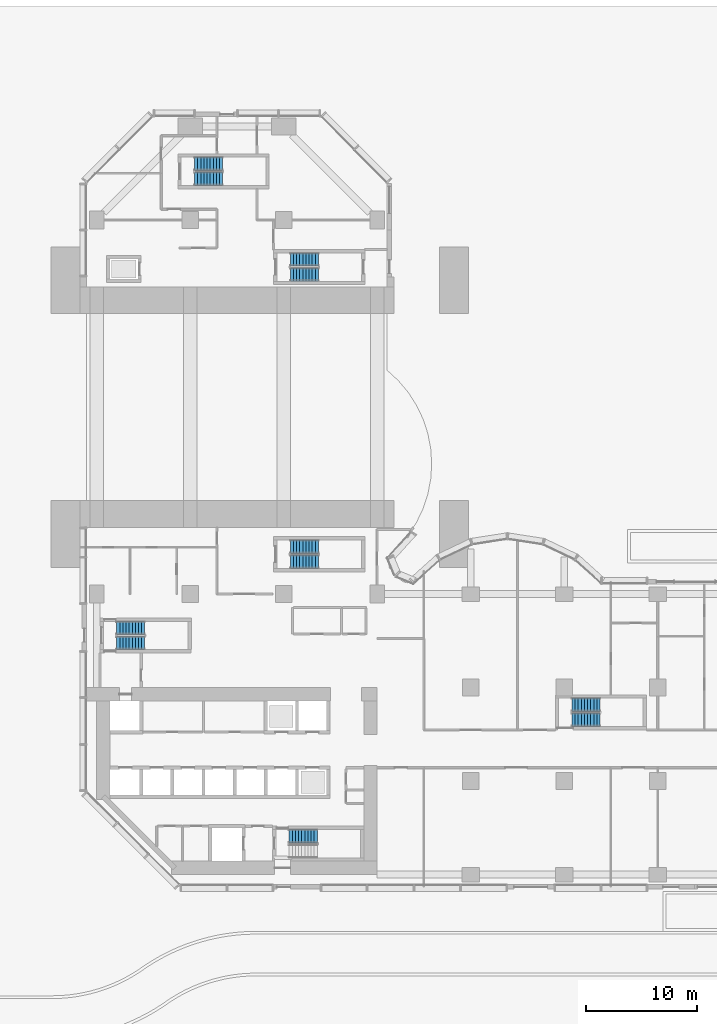
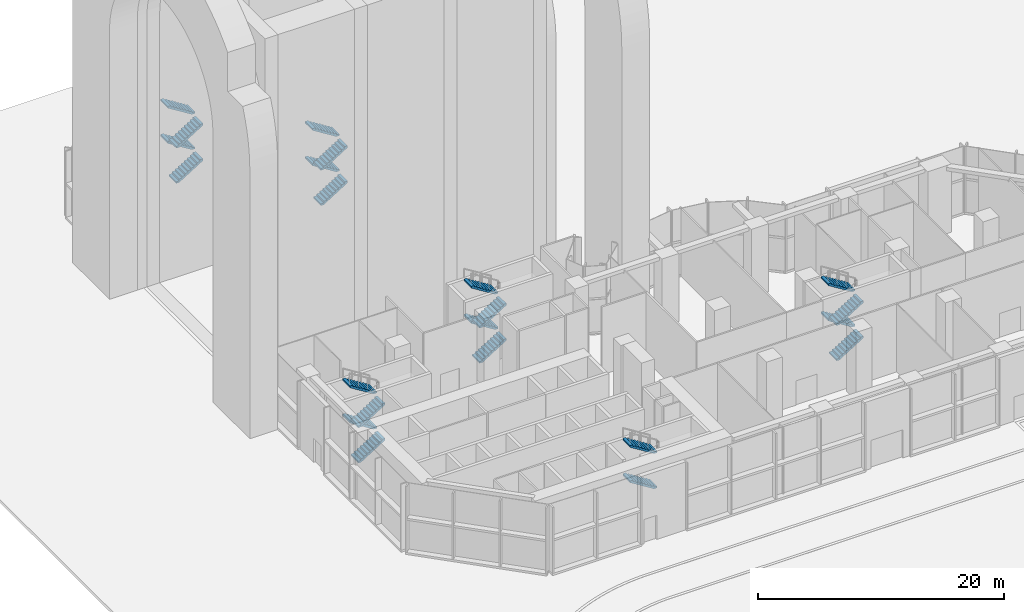
# One storey, part 14 of 21: 22 stair flights, 6 elements without a shape of their own.
"""IFC4 building model written with IfcOpenShell, lengths in metres."""

from ifc_helpers import new_model, si_unit, direction, frame, origin, place, context, subcontext, project, spatial, polyline, outline, extrude, material, type_object, element, aggregate, save


model = new_model("IFC4")

# Units and contexts
model_context = context("Model", 3, precision=1e-05, world=origin(), true_north=direction((0.0, 1.0)))
body_context = subcontext(model_context, "Body", "Model", "MODEL_VIEW")
ifc_project = project(units=[si_unit("LENGTHUNIT", "METRE"), si_unit("AREAUNIT", "SQUARE_METRE"), si_unit("VOLUMEUNIT", "CUBIC_METRE"), si_unit("PLANEANGLEUNIT", "RADIAN"), si_unit("MASSUNIT", "GRAM", prefix="KILO")], contexts=[model_context])

# Site, building, storey
site_placement = place(None, origin())
site = spatial("IfcSite", under=ifc_project, at=site_placement, CompositionType="ELEMENT")
building_placement = place(site_placement, origin())
building = spatial("IfcBuilding", under=site, at=building_placement, Name="Brevane Broadcast Tower", CompositionType="ELEMENT")
storey_placement = place(building_placement, origin())
storey = spatial("IfcBuildingStorey", under=building, at=storey_placement, Name="L00", CompositionType="ELEMENT", Elevation=0.0)

# Stair, stair flights
ifc_material = material(Name="Concrete C50/60", Category="concrete")
stair_type = type_object("IfcStairType", Name="Exit stair 40 risers", PredefinedType="HALF_TURN_STAIR", material=ifc_material)
stair_1_placement = place(storey_placement, origin())
stair_1 = element("IfcStair", 1, at=stair_1_placement, inside=storey, type_object=stair_type, Name="L00 Exit stair ST-1", PredefinedType="HALF_TURN_STAIR")
stair_flight_type = type_object("IfcStairFlightType", Name="Exit stair flight 40 risers", PredefinedType="STRAIGHT", material=ifc_material)
stair_flight_1_placement = place(storey_placement, frame((1.800048828125, 20.800048828125, 0.0), z_axis=(0.0, 0.0, 1.0), x_axis=(1.0, 0.0, 0.0)))
stair_flight_1 = element("IfcStairFlight", 2, at=stair_flight_1_placement, type_object=stair_flight_type, Name="ST-1 flight 1", NumberOfRisers=10, NumberOfTreads=9, PredefinedType="STRAIGHT", RiserHeight=0.175, TreadLength=0.28, context=body_context, shape_type="SweptSolid", body=[
    extrude(outline(polyline([(0.0, 0.0), (0.0, 0.175048828125), (0.280029296875, 0.175048828125), (0.280029296875, 0.35009765625), (0.56005859375, 0.35009765625), (0.56005859375, 0.52490234375), (0.840087890625, 0.52490234375), (0.840087890625, 0.699951171875), (1.1201171875, 0.699951171875), (1.1201171875, 0.875), (1.39990234375, 0.875), (1.39990234375, 1.050048828125), (1.679931640625, 1.050048828125), (1.679931640625, 1.22509765625), (1.9599609375, 1.22509765625), (1.9599609375, 1.39990234375), (2.239990234375, 1.39990234375), (2.239990234375, 1.574951171875), (2.52001953125, 1.574951171875), (2.52001953125, 1.75), (2.52001953125, 1.398193359375), (0.28271484375, 0.0), (0.0, 0.0)])), frame((0.0, 0.60009765625, 0.0), z_axis=(0.0, -1.0, 0.0), x_axis=(1.0, 0.0, 0.0)), (0.0, 0.0, 1.0), 1.199951171875),
])
stair_flight_2_placement = place(storey_placement, frame((4.320068359375, 22.14990234375, 1.75), z_axis=(0.0, 0.0, 1.0), x_axis=(-1.0, 0.0, 0.0)))
stair_flight_2 = element("IfcStairFlight", 3, at=stair_flight_2_placement, type_object=stair_flight_type, Name="ST-1 flight 2", NumberOfRisers=10, NumberOfTreads=9, PredefinedType="STRAIGHT", RiserHeight=0.175, TreadLength=0.28, context=body_context, shape_type="SweptSolid", body=[
    extrude(outline(polyline([(0.0, 0.0), (0.0, 0.175048828125), (0.280029296875, 0.175048828125), (0.280029296875, 0.35009765625), (0.56005859375, 0.35009765625), (0.56005859375, 0.52490234375), (0.840087890625, 0.52490234375), (0.840087890625, 0.699951171875), (1.1201171875, 0.699951171875), (1.1201171875, 0.875), (1.39990234375, 0.875), (1.39990234375, 1.050048828125), (1.679931640625, 1.050048828125), (1.679931640625, 1.22509765625), (1.9599609375, 1.22509765625), (1.9599609375, 1.39990234375), (2.239990234375, 1.39990234375), (2.239990234375, 1.574951171875), (2.52001953125, 1.574951171875), (2.52001953125, 1.75), (2.52001953125, 1.398193359375), (0.28271484375, 0.0), (0.0, 0.0)])), frame((0.0, 0.60009765625, 0.0), z_axis=(0.0, -1.0, 0.0), x_axis=(1.0, 0.0, 0.0)), (0.0, 0.0, 1.0), 1.199951171875),
])
stair_flight_3_placement = place(storey_placement, frame((1.800048828125, 20.800048828125, 3.5), z_axis=(0.0, 0.0, 1.0), x_axis=(1.0, 0.0, 0.0)))
stair_flight_3 = element("IfcStairFlight", 4, at=stair_flight_3_placement, type_object=stair_flight_type, Name="ST-1 flight 3", NumberOfRisers=10, NumberOfTreads=9, PredefinedType="STRAIGHT", RiserHeight=0.175, TreadLength=0.28, context=body_context, shape_type="SweptSolid", body=[
    extrude(outline(polyline([(0.0, 0.0), (0.0, 0.175048828125), (0.280029296875, 0.175048828125), (0.280029296875, 0.35009765625), (0.56005859375, 0.35009765625), (0.56005859375, 0.52490234375), (0.840087890625, 0.52490234375), (0.840087890625, 0.699951171875), (1.1201171875, 0.699951171875), (1.1201171875, 0.875), (1.39990234375, 0.875), (1.39990234375, 1.050048828125), (1.679931640625, 1.050048828125), (1.679931640625, 1.22509765625), (1.9599609375, 1.22509765625), (1.9599609375, 1.39990234375), (2.239990234375, 1.39990234375), (2.239990234375, 1.574951171875), (2.52001953125, 1.574951171875), (2.52001953125, 1.75), (2.52001953125, 1.398193359375), (0.28271484375, 0.0), (0.0, 0.0)])), frame((0.0, 0.60009765625, 0.0), z_axis=(0.0, -1.0, 0.0), x_axis=(1.0, 0.0, 0.0)), (0.0, 0.0, 1.0), 1.199951171875),
])
stair_flight_4_placement = place(storey_placement, frame((4.320068359375, 22.14990234375, 5.25), z_axis=(0.0, 0.0, 1.0), x_axis=(-1.0, 0.0, 0.0)))
stair_flight_4 = element("IfcStairFlight", 5, at=stair_flight_4_placement, type_object=stair_flight_type, Name="ST-1 flight 4", NumberOfRisers=10, NumberOfTreads=9, PredefinedType="STRAIGHT", RiserHeight=0.175, TreadLength=0.28, context=body_context, shape_type="SweptSolid", body=[
    extrude(outline(polyline([(0.0, 0.0), (0.0, 0.175048828125), (0.280029296875, 0.175048828125), (0.280029296875, 0.35009765625), (0.56005859375, 0.35009765625), (0.56005859375, 0.52490234375), (0.840087890625, 0.52490234375), (0.840087890625, 0.699951171875), (1.1201171875, 0.699951171875), (1.1201171875, 0.875), (1.39990234375, 0.875), (1.39990234375, 1.050048828125), (1.679931640625, 1.050048828125), (1.679931640625, 1.22509765625), (1.9599609375, 1.22509765625), (1.9599609375, 1.39990234375), (2.239990234375, 1.39990234375), (2.239990234375, 1.574951171875), (2.52001953125, 1.574951171875), (2.52001953125, 1.75), (2.52001953125, 1.398193359375), (0.28271484375, 0.0), (0.0, 0.0)])), frame((0.0, 0.60009765625, 0.0), z_axis=(0.0, -1.0, 0.0), x_axis=(1.0, 0.0, 0.0)), (0.0, 0.0, 1.0), 1.199951171875),
])
aggregate(stair_1, [stair_flight_1, stair_flight_2, stair_flight_3, stair_flight_4])

stair_2_placement = place(storey_placement, origin())
stair_2 = element("IfcStair", 6, at=stair_2_placement, inside=storey, type_object=stair_type, Name="L00 Exit stair ST-2", PredefinedType="HALF_TURN_STAIR")
stair_flight_5_placement = place(storey_placement, frame((19.820068359375, 3.449951171875, 1.75), z_axis=(0.0, 0.0, 1.0), x_axis=(-1.0, 0.0, 0.0)))
stair_flight_5 = element("IfcStairFlight", 7, at=stair_flight_5_placement, type_object=stair_flight_type, Name="ST-2 flight 2", NumberOfRisers=10, NumberOfTreads=9, PredefinedType="STRAIGHT", RiserHeight=0.175, TreadLength=0.28, context=body_context, shape_type="SweptSolid", body=[
    extrude(outline(polyline([(0.0, 0.0), (0.0, 0.175048828125), (0.280029296875, 0.175048828125), (0.280029296875, 0.35009765625), (0.56005859375, 0.35009765625), (0.56005859375, 0.52490234375), (0.840087890625, 0.52490234375), (0.840087890625, 0.699951171875), (1.1201171875, 0.699951171875), (1.1201171875, 0.875), (1.39990234375, 0.875), (1.39990234375, 1.050048828125), (1.679931640625, 1.050048828125), (1.679931640625, 1.22509765625), (1.9599609375, 1.22509765625), (1.9599609375, 1.39990234375), (2.239990234375, 1.39990234375), (2.239990234375, 1.574951171875), (2.52001953125, 1.574951171875), (2.52001953125, 1.75), (2.52001953125, 1.398193359375), (0.28271484375, 0.0), (0.0, 0.0)])), frame((0.0, 0.60009765625, 0.0), z_axis=(0.0, -1.0, 0.0), x_axis=(1.0, 0.0, 0.0)), (0.0, 0.0, 1.0), 1.199951171875),
])
stair_flight_6_placement = place(storey_placement, frame((19.820068359375, 3.449951171875, 5.25), z_axis=(0.0, 0.0, 1.0), x_axis=(-1.0, 0.0, 0.0)))
stair_flight_6 = element("IfcStairFlight", 8, at=stair_flight_6_placement, type_object=stair_flight_type, Name="ST-2 flight 4", NumberOfRisers=10, NumberOfTreads=9, PredefinedType="STRAIGHT", RiserHeight=0.175, TreadLength=0.28, context=body_context, shape_type="SweptSolid", body=[
    extrude(outline(polyline([(0.0, 0.0), (0.0, 0.175048828125), (0.280029296875, 0.175048828125), (0.280029296875, 0.35009765625), (0.56005859375, 0.35009765625), (0.56005859375, 0.52490234375), (0.840087890625, 0.52490234375), (0.840087890625, 0.699951171875), (1.1201171875, 0.699951171875), (1.1201171875, 0.875), (1.39990234375, 0.875), (1.39990234375, 1.050048828125), (1.679931640625, 1.050048828125), (1.679931640625, 1.22509765625), (1.9599609375, 1.22509765625), (1.9599609375, 1.39990234375), (2.239990234375, 1.39990234375), (2.239990234375, 1.574951171875), (2.52001953125, 1.574951171875), (2.52001953125, 1.75), (2.52001953125, 1.398193359375), (0.28271484375, 0.0), (0.0, 0.0)])), frame((0.0, 0.60009765625, 0.0), z_axis=(0.0, -1.0, 0.0), x_axis=(1.0, 0.0, 0.0)), (0.0, 0.0, 1.0), 1.199951171875),
])
aggregate(stair_2, [stair_flight_5, stair_flight_6])

stair_3_placement = place(storey_placement, origin())
stair_3 = element("IfcStair", 9, at=stair_3_placement, inside=storey, type_object=stair_type, Name="L00 Exit stair ST-3", PredefinedType="HALF_TURN_STAIR")
stair_flight_7_placement = place(storey_placement, frame((17.39990234375, 28.10009765625, 0.0), z_axis=(0.0, 0.0, 1.0), x_axis=(1.0, 0.0, 0.0)))
stair_flight_7 = element("IfcStairFlight", 10, at=stair_flight_7_placement, type_object=stair_flight_type, Name="ST-3 flight 1", NumberOfRisers=10, NumberOfTreads=9, PredefinedType="STRAIGHT", RiserHeight=0.175, TreadLength=0.28, context=body_context, shape_type="SweptSolid", body=[
    extrude(outline(polyline([(0.0, 0.0), (0.0, 0.175048828125), (0.280029296875, 0.175048828125), (0.280029296875, 0.35009765625), (0.56005859375, 0.35009765625), (0.56005859375, 0.52490234375), (0.840087890625, 0.52490234375), (0.840087890625, 0.699951171875), (1.1201171875, 0.699951171875), (1.1201171875, 0.875), (1.39990234375, 0.875), (1.39990234375, 1.050048828125), (1.679931640625, 1.050048828125), (1.679931640625, 1.22509765625), (1.9599609375, 1.22509765625), (1.9599609375, 1.39990234375), (2.239990234375, 1.39990234375), (2.239990234375, 1.574951171875), (2.52001953125, 1.574951171875), (2.52001953125, 1.75), (2.52001953125, 1.398193359375), (0.28271484375, 0.0), (0.0, 0.0)])), frame((0.0, 0.60009765625, 0.0), z_axis=(0.0, -1.0, 0.0), x_axis=(1.0, 0.0, 0.0)), (0.0, 0.0, 1.0), 1.199951171875),
])
stair_flight_8_placement = place(storey_placement, frame((19.919921875, 29.449951171875, 1.75), z_axis=(0.0, 0.0, 1.0), x_axis=(-1.0, 0.0, 0.0)))
stair_flight_8 = element("IfcStairFlight", 11, at=stair_flight_8_placement, type_object=stair_flight_type, Name="ST-3 flight 2", NumberOfRisers=10, NumberOfTreads=9, PredefinedType="STRAIGHT", RiserHeight=0.175, TreadLength=0.28, context=body_context, shape_type="SweptSolid", body=[
    extrude(outline(polyline([(0.0, 0.0), (0.0, 0.175048828125), (0.280029296875, 0.175048828125), (0.280029296875, 0.35009765625), (0.56005859375, 0.35009765625), (0.56005859375, 0.52490234375), (0.840087890625, 0.52490234375), (0.840087890625, 0.699951171875), (1.1201171875, 0.699951171875), (1.1201171875, 0.875), (1.39990234375, 0.875), (1.39990234375, 1.050048828125), (1.679931640625, 1.050048828125), (1.679931640625, 1.22509765625), (1.9599609375, 1.22509765625), (1.9599609375, 1.39990234375), (2.239990234375, 1.39990234375), (2.239990234375, 1.574951171875), (2.52001953125, 1.574951171875), (2.52001953125, 1.75), (2.52001953125, 1.398193359375), (0.28271484375, 0.0), (0.0, 0.0)])), frame((0.0, 0.60009765625, 0.0), z_axis=(0.0, -1.0, 0.0), x_axis=(1.0, 0.0, 0.0)), (0.0, 0.0, 1.0), 1.199951171875),
])
stair_flight_9_placement = place(storey_placement, frame((17.39990234375, 28.10009765625, 3.5), z_axis=(0.0, 0.0, 1.0), x_axis=(1.0, 0.0, 0.0)))
stair_flight_9 = element("IfcStairFlight", 12, at=stair_flight_9_placement, type_object=stair_flight_type, Name="ST-3 flight 3", NumberOfRisers=10, NumberOfTreads=9, PredefinedType="STRAIGHT", RiserHeight=0.175, TreadLength=0.28, context=body_context, shape_type="SweptSolid", body=[
    extrude(outline(polyline([(0.0, 0.0), (0.0, 0.175048828125), (0.280029296875, 0.175048828125), (0.280029296875, 0.35009765625), (0.56005859375, 0.35009765625), (0.56005859375, 0.52490234375), (0.840087890625, 0.52490234375), (0.840087890625, 0.699951171875), (1.1201171875, 0.699951171875), (1.1201171875, 0.875), (1.39990234375, 0.875), (1.39990234375, 1.050048828125), (1.679931640625, 1.050048828125), (1.679931640625, 1.22509765625), (1.9599609375, 1.22509765625), (1.9599609375, 1.39990234375), (2.239990234375, 1.39990234375), (2.239990234375, 1.574951171875), (2.52001953125, 1.574951171875), (2.52001953125, 1.75), (2.52001953125, 1.398193359375), (0.28271484375, 0.0), (0.0, 0.0)])), frame((0.0, 0.60009765625, 0.0), z_axis=(0.0, -1.0, 0.0), x_axis=(1.0, 0.0, 0.0)), (0.0, 0.0, 1.0), 1.199951171875),
])
stair_flight_10_placement = place(storey_placement, frame((19.919921875, 29.449951171875, 5.25), z_axis=(0.0, 0.0, 1.0), x_axis=(-1.0, 0.0, 0.0)))
stair_flight_10 = element("IfcStairFlight", 13, at=stair_flight_10_placement, type_object=stair_flight_type, Name="ST-3 flight 4", NumberOfRisers=10, NumberOfTreads=9, PredefinedType="STRAIGHT", RiserHeight=0.175, TreadLength=0.28, context=body_context, shape_type="SweptSolid", body=[
    extrude(outline(polyline([(0.0, 0.0), (0.0, 0.175048828125), (0.280029296875, 0.175048828125), (0.280029296875, 0.35009765625), (0.56005859375, 0.35009765625), (0.56005859375, 0.52490234375), (0.840087890625, 0.52490234375), (0.840087890625, 0.699951171875), (1.1201171875, 0.699951171875), (1.1201171875, 0.875), (1.39990234375, 0.875), (1.39990234375, 1.050048828125), (1.679931640625, 1.050048828125), (1.679931640625, 1.22509765625), (1.9599609375, 1.22509765625), (1.9599609375, 1.39990234375), (2.239990234375, 1.39990234375), (2.239990234375, 1.574951171875), (2.52001953125, 1.574951171875), (2.52001953125, 1.75), (2.52001953125, 1.398193359375), (0.28271484375, 0.0), (0.0, 0.0)])), frame((0.0, 0.60009765625, 0.0), z_axis=(0.0, -1.0, 0.0), x_axis=(1.0, 0.0, 0.0)), (0.0, 0.0, 1.0), 1.199951171875),
])
aggregate(stair_3, [stair_flight_7, stair_flight_8, stair_flight_9, stair_flight_10])

stair_4_placement = place(storey_placement, origin())
stair_4 = element("IfcStair", 14, at=stair_4_placement, inside=storey, type_object=stair_type, Name="L00 Exit stair ST-4", PredefinedType="HALF_TURN_STAIR")
stair_flight_11_placement = place(storey_placement, frame((42.699951171875, 13.89990234375, 0.0), z_axis=(0.0, 0.0, 1.0), x_axis=(1.0, 0.0, 0.0)))
stair_flight_11 = element("IfcStairFlight", 15, at=stair_flight_11_placement, type_object=stair_flight_type, Name="ST-4 flight 1", NumberOfRisers=10, NumberOfTreads=9, PredefinedType="STRAIGHT", RiserHeight=0.175, TreadLength=0.28, context=body_context, shape_type="SweptSolid", body=[
    extrude(outline(polyline([(0.0, 0.0), (0.0, 0.175048828125), (0.280029296875, 0.175048828125), (0.280029296875, 0.35009765625), (0.56005859375, 0.35009765625), (0.56005859375, 0.52490234375), (0.840087890625, 0.52490234375), (0.840087890625, 0.699951171875), (1.1201171875, 0.699951171875), (1.1201171875, 0.875), (1.39990234375, 0.875), (1.39990234375, 1.050048828125), (1.679931640625, 1.050048828125), (1.679931640625, 1.22509765625), (1.9599609375, 1.22509765625), (1.9599609375, 1.39990234375), (2.239990234375, 1.39990234375), (2.239990234375, 1.574951171875), (2.52001953125, 1.574951171875), (2.52001953125, 1.75), (2.52001953125, 1.398193359375), (0.28271484375, 0.0), (0.0, 0.0)])), frame((0.0, 0.60009765625, 0.0), z_axis=(0.0, -1.0, 0.0), x_axis=(1.0, 0.0, 0.0)), (0.0, 0.0, 1.0), 1.199951171875),
])
stair_flight_12_placement = place(storey_placement, frame((45.219970703125, 15.25, 1.75), z_axis=(0.0, 0.0, 1.0), x_axis=(-1.0, 0.0, 0.0)))
stair_flight_12 = element("IfcStairFlight", 16, at=stair_flight_12_placement, type_object=stair_flight_type, Name="ST-4 flight 2", NumberOfRisers=10, NumberOfTreads=9, PredefinedType="STRAIGHT", RiserHeight=0.175, TreadLength=0.28, context=body_context, shape_type="SweptSolid", body=[
    extrude(outline(polyline([(0.0, 0.0), (0.0, 0.175048828125), (0.280029296875, 0.175048828125), (0.280029296875, 0.35009765625), (0.56005859375, 0.35009765625), (0.56005859375, 0.52490234375), (0.840087890625, 0.52490234375), (0.840087890625, 0.699951171875), (1.1201171875, 0.699951171875), (1.1201171875, 0.875), (1.39990234375, 0.875), (1.39990234375, 1.050048828125), (1.679931640625, 1.050048828125), (1.679931640625, 1.22509765625), (1.9599609375, 1.22509765625), (1.9599609375, 1.39990234375), (2.239990234375, 1.39990234375), (2.239990234375, 1.574951171875), (2.52001953125, 1.574951171875), (2.52001953125, 1.75), (2.52001953125, 1.398193359375), (0.28271484375, 0.0), (0.0, 0.0)])), frame((0.0, 0.60009765625, 0.0), z_axis=(0.0, -1.0, 0.0), x_axis=(1.0, 0.0, 0.0)), (0.0, 0.0, 1.0), 1.199951171875),
])
stair_flight_13_placement = place(storey_placement, frame((42.699951171875, 13.89990234375, 3.5), z_axis=(0.0, 0.0, 1.0), x_axis=(1.0, 0.0, 0.0)))
stair_flight_13 = element("IfcStairFlight", 17, at=stair_flight_13_placement, type_object=stair_flight_type, Name="ST-4 flight 3", NumberOfRisers=10, NumberOfTreads=9, PredefinedType="STRAIGHT", RiserHeight=0.175, TreadLength=0.28, context=body_context, shape_type="SweptSolid", body=[
    extrude(outline(polyline([(0.0, 0.0), (0.0, 0.175048828125), (0.280029296875, 0.175048828125), (0.280029296875, 0.35009765625), (0.56005859375, 0.35009765625), (0.56005859375, 0.52490234375), (0.840087890625, 0.52490234375), (0.840087890625, 0.699951171875), (1.1201171875, 0.699951171875), (1.1201171875, 0.875), (1.39990234375, 0.875), (1.39990234375, 1.050048828125), (1.679931640625, 1.050048828125), (1.679931640625, 1.22509765625), (1.9599609375, 1.22509765625), (1.9599609375, 1.39990234375), (2.239990234375, 1.39990234375), (2.239990234375, 1.574951171875), (2.52001953125, 1.574951171875), (2.52001953125, 1.75), (2.52001953125, 1.398193359375), (0.28271484375, 0.0), (0.0, 0.0)])), frame((0.0, 0.60009765625, 0.0), z_axis=(0.0, -1.0, 0.0), x_axis=(1.0, 0.0, 0.0)), (0.0, 0.0, 1.0), 1.199951171875),
])
stair_flight_14_placement = place(storey_placement, frame((45.219970703125, 15.25, 5.25), z_axis=(0.0, 0.0, 1.0), x_axis=(-1.0, 0.0, 0.0)))
stair_flight_14 = element("IfcStairFlight", 18, at=stair_flight_14_placement, type_object=stair_flight_type, Name="ST-4 flight 4", NumberOfRisers=10, NumberOfTreads=9, PredefinedType="STRAIGHT", RiserHeight=0.175, TreadLength=0.28, context=body_context, shape_type="SweptSolid", body=[
    extrude(outline(polyline([(0.0, 0.0), (0.0, 0.175048828125), (0.280029296875, 0.175048828125), (0.280029296875, 0.35009765625), (0.56005859375, 0.35009765625), (0.56005859375, 0.52490234375), (0.840087890625, 0.52490234375), (0.840087890625, 0.699951171875), (1.1201171875, 0.699951171875), (1.1201171875, 0.875), (1.39990234375, 0.875), (1.39990234375, 1.050048828125), (1.679931640625, 1.050048828125), (1.679931640625, 1.22509765625), (1.9599609375, 1.22509765625), (1.9599609375, 1.39990234375), (2.239990234375, 1.39990234375), (2.239990234375, 1.574951171875), (2.52001953125, 1.574951171875), (2.52001953125, 1.75), (2.52001953125, 1.398193359375), (0.28271484375, 0.0), (0.0, 0.0)])), frame((0.0, 0.60009765625, 0.0), z_axis=(0.0, -1.0, 0.0), x_axis=(1.0, 0.0, 0.0)), (0.0, 0.0, 1.0), 1.199951171875),
])
aggregate(stair_4, [stair_flight_11, stair_flight_12, stair_flight_13, stair_flight_14])

stair_5_placement = place(storey_placement, origin())
stair_5 = element("IfcStair", 19, at=stair_5_placement, inside=storey, type_object=stair_type, Name="L00 Exit stair ST-5", PredefinedType="HALF_TURN_STAIR")
stair_flight_15_placement = place(storey_placement, frame((17.39990234375, 53.89990234375, 0.0), z_axis=(0.0, 0.0, 1.0), x_axis=(1.0, 0.0, 0.0)))
stair_flight_15 = element("IfcStairFlight", 20, at=stair_flight_15_placement, type_object=stair_flight_type, Name="ST-5 flight 1", NumberOfRisers=10, NumberOfTreads=9, PredefinedType="STRAIGHT", RiserHeight=0.175, TreadLength=0.28, context=body_context, shape_type="SweptSolid", body=[
    extrude(outline(polyline([(0.0, 0.0), (0.0, 0.175048828125), (0.280029296875, 0.175048828125), (0.280029296875, 0.35009765625), (0.56005859375, 0.35009765625), (0.56005859375, 0.52490234375), (0.840087890625, 0.52490234375), (0.840087890625, 0.699951171875), (1.1201171875, 0.699951171875), (1.1201171875, 0.875), (1.39990234375, 0.875), (1.39990234375, 1.050048828125), (1.679931640625, 1.050048828125), (1.679931640625, 1.22509765625), (1.9599609375, 1.22509765625), (1.9599609375, 1.39990234375), (2.239990234375, 1.39990234375), (2.239990234375, 1.574951171875), (2.52001953125, 1.574951171875), (2.52001953125, 1.75), (2.52001953125, 1.398193359375), (0.28271484375, 0.0), (0.0, 0.0)])), frame((0.0, 0.60009765625, 0.0), z_axis=(0.0, -1.0, 0.0), x_axis=(1.0, 0.0, 0.0)), (0.0, 0.0, 1.0), 1.199951171875),
])
stair_flight_16_placement = place(storey_placement, frame((19.919921875, 55.25, 1.75), z_axis=(0.0, 0.0, 1.0), x_axis=(-1.0, 0.0, 0.0)))
stair_flight_16 = element("IfcStairFlight", 21, at=stair_flight_16_placement, type_object=stair_flight_type, Name="ST-5 flight 2", NumberOfRisers=10, NumberOfTreads=9, PredefinedType="STRAIGHT", RiserHeight=0.175, TreadLength=0.28, context=body_context, shape_type="SweptSolid", body=[
    extrude(outline(polyline([(0.0, 0.0), (0.0, 0.175048828125), (0.280029296875, 0.175048828125), (0.280029296875, 0.35009765625), (0.56005859375, 0.35009765625), (0.56005859375, 0.52490234375), (0.840087890625, 0.52490234375), (0.840087890625, 0.699951171875), (1.1201171875, 0.699951171875), (1.1201171875, 0.875), (1.39990234375, 0.875), (1.39990234375, 1.050048828125), (1.679931640625, 1.050048828125), (1.679931640625, 1.22509765625), (1.9599609375, 1.22509765625), (1.9599609375, 1.39990234375), (2.239990234375, 1.39990234375), (2.239990234375, 1.574951171875), (2.52001953125, 1.574951171875), (2.52001953125, 1.75), (2.52001953125, 1.398193359375), (0.28271484375, 0.0), (0.0, 0.0)])), frame((0.0, 0.60009765625, 0.0), z_axis=(0.0, -1.0, 0.0), x_axis=(1.0, 0.0, 0.0)), (0.0, 0.0, 1.0), 1.199951171875),
])
stair_flight_17_placement = place(storey_placement, frame((17.39990234375, 53.89990234375, 3.5), z_axis=(0.0, 0.0, 1.0), x_axis=(1.0, 0.0, 0.0)))
stair_flight_17 = element("IfcStairFlight", 22, at=stair_flight_17_placement, type_object=stair_flight_type, Name="ST-5 flight 3", NumberOfRisers=10, NumberOfTreads=9, PredefinedType="STRAIGHT", RiserHeight=0.175, TreadLength=0.28, context=body_context, shape_type="SweptSolid", body=[
    extrude(outline(polyline([(0.0, 0.0), (0.0, 0.175048828125), (0.280029296875, 0.175048828125), (0.280029296875, 0.35009765625), (0.56005859375, 0.35009765625), (0.56005859375, 0.52490234375), (0.840087890625, 0.52490234375), (0.840087890625, 0.699951171875), (1.1201171875, 0.699951171875), (1.1201171875, 0.875), (1.39990234375, 0.875), (1.39990234375, 1.050048828125), (1.679931640625, 1.050048828125), (1.679931640625, 1.22509765625), (1.9599609375, 1.22509765625), (1.9599609375, 1.39990234375), (2.239990234375, 1.39990234375), (2.239990234375, 1.574951171875), (2.52001953125, 1.574951171875), (2.52001953125, 1.75), (2.52001953125, 1.398193359375), (0.28271484375, 0.0), (0.0, 0.0)])), frame((0.0, 0.60009765625, 0.0), z_axis=(0.0, -1.0, 0.0), x_axis=(1.0, 0.0, 0.0)), (0.0, 0.0, 1.0), 1.199951171875),
])
stair_flight_18_placement = place(storey_placement, frame((19.919921875, 55.25, 5.25), z_axis=(0.0, 0.0, 1.0), x_axis=(-1.0, 0.0, 0.0)))
stair_flight_18 = element("IfcStairFlight", 23, at=stair_flight_18_placement, type_object=stair_flight_type, Name="ST-5 flight 4", NumberOfRisers=10, NumberOfTreads=9, PredefinedType="STRAIGHT", RiserHeight=0.175, TreadLength=0.28, context=body_context, shape_type="SweptSolid", body=[
    extrude(outline(polyline([(0.0, 0.0), (0.0, 0.175048828125), (0.280029296875, 0.175048828125), (0.280029296875, 0.35009765625), (0.56005859375, 0.35009765625), (0.56005859375, 0.52490234375), (0.840087890625, 0.52490234375), (0.840087890625, 0.699951171875), (1.1201171875, 0.699951171875), (1.1201171875, 0.875), (1.39990234375, 0.875), (1.39990234375, 1.050048828125), (1.679931640625, 1.050048828125), (1.679931640625, 1.22509765625), (1.9599609375, 1.22509765625), (1.9599609375, 1.39990234375), (2.239990234375, 1.39990234375), (2.239990234375, 1.574951171875), (2.52001953125, 1.574951171875), (2.52001953125, 1.75), (2.52001953125, 1.398193359375), (0.28271484375, 0.0), (0.0, 0.0)])), frame((0.0, 0.60009765625, 0.0), z_axis=(0.0, -1.0, 0.0), x_axis=(1.0, 0.0, 0.0)), (0.0, 0.0, 1.0), 1.199951171875),
])
aggregate(stair_5, [stair_flight_15, stair_flight_16, stair_flight_17, stair_flight_18])

stair_6_placement = place(storey_placement, origin())
stair_6 = element("IfcStair", 24, at=stair_6_placement, inside=storey, type_object=stair_type, Name="L00 Exit stair ST-6", PredefinedType="HALF_TURN_STAIR")
stair_flight_19_placement = place(storey_placement, frame((8.800048828125, 62.5, 0.0), z_axis=(0.0, 0.0, 1.0), x_axis=(1.0, 0.0, 0.0)))
stair_flight_19 = element("IfcStairFlight", 25, at=stair_flight_19_placement, type_object=stair_flight_type, Name="ST-6 flight 1", NumberOfRisers=10, NumberOfTreads=9, PredefinedType="STRAIGHT", RiserHeight=0.175, TreadLength=0.28, context=body_context, shape_type="SweptSolid", body=[
    extrude(outline(polyline([(0.0, 0.0), (0.0, 0.175048828125), (0.280029296875, 0.175048828125), (0.280029296875, 0.35009765625), (0.56005859375, 0.35009765625), (0.56005859375, 0.52490234375), (0.840087890625, 0.52490234375), (0.840087890625, 0.699951171875), (1.1201171875, 0.699951171875), (1.1201171875, 0.875), (1.39990234375, 0.875), (1.39990234375, 1.050048828125), (1.679931640625, 1.050048828125), (1.679931640625, 1.22509765625), (1.9599609375, 1.22509765625), (1.9599609375, 1.39990234375), (2.239990234375, 1.39990234375), (2.239990234375, 1.574951171875), (2.52001953125, 1.574951171875), (2.52001953125, 1.75), (2.52001953125, 1.398193359375), (0.28271484375, 0.0), (0.0, 0.0)])), frame((0.0, 0.60009765625, 0.0), z_axis=(0.0, -1.0, 0.0), x_axis=(1.0, 0.0, 0.0)), (0.0, 0.0, 1.0), 1.199951171875),
])
stair_flight_20_placement = place(storey_placement, frame((11.320068359375, 63.85009765625, 1.75), z_axis=(0.0, 0.0, 1.0), x_axis=(-1.0, 0.0, 0.0)))
stair_flight_20 = element("IfcStairFlight", 26, at=stair_flight_20_placement, type_object=stair_flight_type, Name="ST-6 flight 2", NumberOfRisers=10, NumberOfTreads=9, PredefinedType="STRAIGHT", RiserHeight=0.175, TreadLength=0.28, context=body_context, shape_type="SweptSolid", body=[
    extrude(outline(polyline([(0.0, 0.0), (0.0, 0.175048828125), (0.280029296875, 0.175048828125), (0.280029296875, 0.35009765625), (0.56005859375, 0.35009765625), (0.56005859375, 0.52490234375), (0.840087890625, 0.52490234375), (0.840087890625, 0.699951171875), (1.1201171875, 0.699951171875), (1.1201171875, 0.875), (1.39990234375, 0.875), (1.39990234375, 1.050048828125), (1.679931640625, 1.050048828125), (1.679931640625, 1.22509765625), (1.9599609375, 1.22509765625), (1.9599609375, 1.39990234375), (2.239990234375, 1.39990234375), (2.239990234375, 1.574951171875), (2.52001953125, 1.574951171875), (2.52001953125, 1.75), (2.52001953125, 1.398193359375), (0.28271484375, 0.0), (0.0, 0.0)])), frame((0.0, 0.60009765625, 0.0), z_axis=(0.0, -1.0, 0.0), x_axis=(1.0, 0.0, 0.0)), (0.0, 0.0, 1.0), 1.199951171875),
])
stair_flight_21_placement = place(storey_placement, frame((8.800048828125, 62.5, 3.5), z_axis=(0.0, 0.0, 1.0), x_axis=(1.0, 0.0, 0.0)))
stair_flight_21 = element("IfcStairFlight", 27, at=stair_flight_21_placement, type_object=stair_flight_type, Name="ST-6 flight 3", NumberOfRisers=10, NumberOfTreads=9, PredefinedType="STRAIGHT", RiserHeight=0.175, TreadLength=0.28, context=body_context, shape_type="SweptSolid", body=[
    extrude(outline(polyline([(0.0, 0.0), (0.0, 0.175048828125), (0.280029296875, 0.175048828125), (0.280029296875, 0.35009765625), (0.56005859375, 0.35009765625), (0.56005859375, 0.52490234375), (0.840087890625, 0.52490234375), (0.840087890625, 0.699951171875), (1.1201171875, 0.699951171875), (1.1201171875, 0.875), (1.39990234375, 0.875), (1.39990234375, 1.050048828125), (1.679931640625, 1.050048828125), (1.679931640625, 1.22509765625), (1.9599609375, 1.22509765625), (1.9599609375, 1.39990234375), (2.239990234375, 1.39990234375), (2.239990234375, 1.574951171875), (2.52001953125, 1.574951171875), (2.52001953125, 1.75), (2.52001953125, 1.398193359375), (0.28271484375, 0.0), (0.0, 0.0)])), frame((0.0, 0.60009765625, 0.0), z_axis=(0.0, -1.0, 0.0), x_axis=(1.0, 0.0, 0.0)), (0.0, 0.0, 1.0), 1.199951171875),
])
stair_flight_22_placement = place(storey_placement, frame((11.320068359375, 63.85009765625, 5.25), z_axis=(0.0, 0.0, 1.0), x_axis=(-1.0, 0.0, 0.0)))
stair_flight_22 = element("IfcStairFlight", 28, at=stair_flight_22_placement, type_object=stair_flight_type, Name="ST-6 flight 4", NumberOfRisers=10, NumberOfTreads=9, PredefinedType="STRAIGHT", RiserHeight=0.175, TreadLength=0.28, context=body_context, shape_type="SweptSolid", body=[
    extrude(outline(polyline([(0.0, 0.0), (0.0, 0.175048828125), (0.280029296875, 0.175048828125), (0.280029296875, 0.35009765625), (0.56005859375, 0.35009765625), (0.56005859375, 0.52490234375), (0.840087890625, 0.52490234375), (0.840087890625, 0.699951171875), (1.1201171875, 0.699951171875), (1.1201171875, 0.875), (1.39990234375, 0.875), (1.39990234375, 1.050048828125), (1.679931640625, 1.050048828125), (1.679931640625, 1.22509765625), (1.9599609375, 1.22509765625), (1.9599609375, 1.39990234375), (2.239990234375, 1.39990234375), (2.239990234375, 1.574951171875), (2.52001953125, 1.574951171875), (2.52001953125, 1.75), (2.52001953125, 1.398193359375), (0.28271484375, 0.0), (0.0, 0.0)])), frame((0.0, 0.60009765625, 0.0), z_axis=(0.0, -1.0, 0.0), x_axis=(1.0, 0.0, 0.0)), (0.0, 0.0, 1.0), 1.199951171875),
])
aggregate(stair_6, [stair_flight_19, stair_flight_20, stair_flight_21, stair_flight_22])

save(model, "model.ifc")
